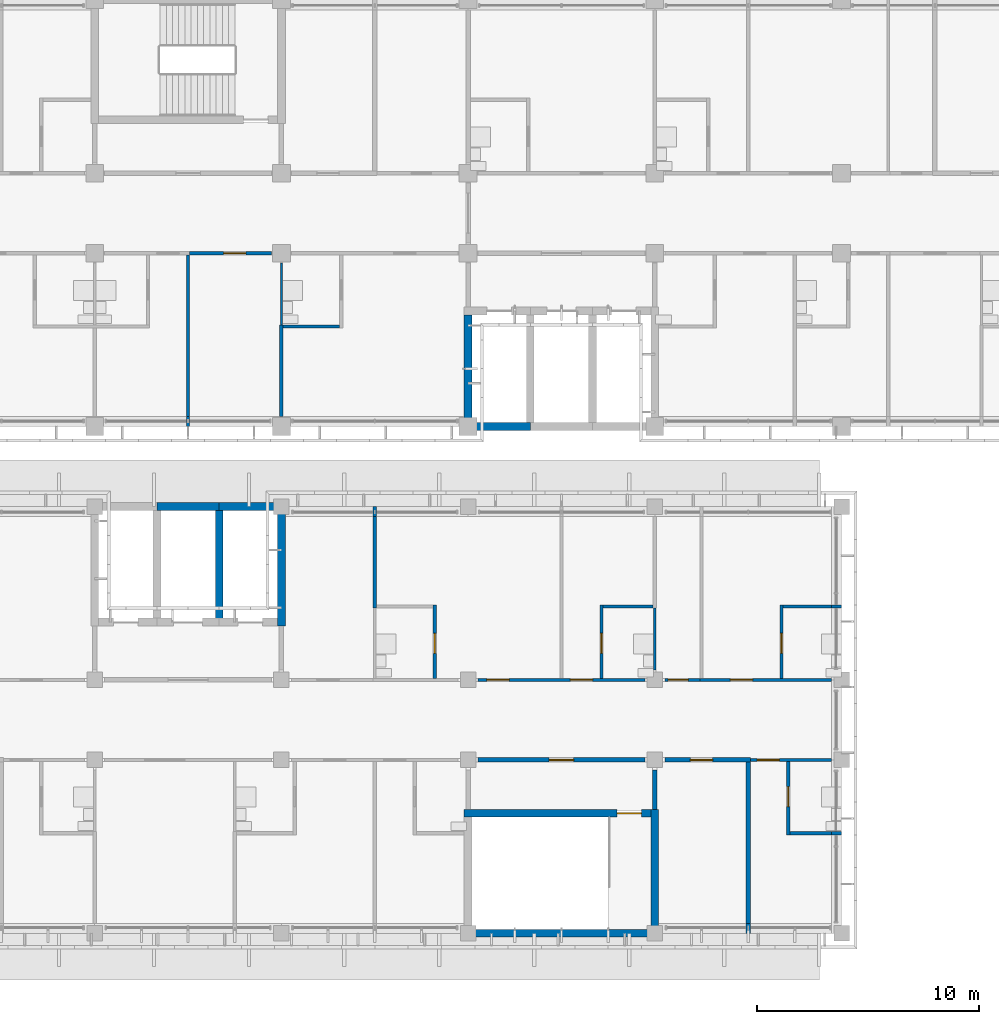
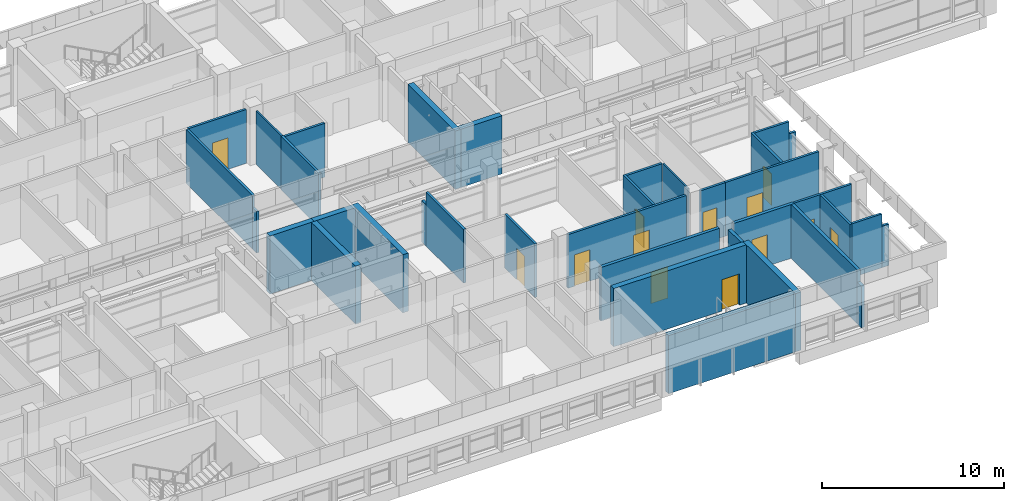
# One storey, part 36 of 71: 36 walls, 13 doors, 13 openings.
"""IFC4 building model written with IfcOpenShell, lengths in metres."""

from ifc_helpers import new_model, si_unit, direction, frame, frame_2d, origin, place, context, subcontext, project, spatial, rectangle, extrude, material, layer, layer_set, type_object, element, fill, save


model = new_model("IFC4")

# Units and contexts
model_context = context("Model", 3, precision=1e-05, world=origin(), true_north=direction((0.0, 1.0)))
body_context = subcontext(model_context, "Body", "Model", "MODEL_VIEW")
ifc_project = project(units=[si_unit("LENGTHUNIT", "METRE"), si_unit("AREAUNIT", "SQUARE_METRE"), si_unit("VOLUMEUNIT", "CUBIC_METRE"), si_unit("PLANEANGLEUNIT", "RADIAN"), si_unit("MASSUNIT", "GRAM", prefix="KILO")], contexts=[model_context])

# Site, building, storey
site_placement = place(None, origin())
site = spatial("IfcSite", under=ifc_project, at=site_placement, CompositionType="ELEMENT")
building_placement = place(site_placement, origin())
building = spatial("IfcBuilding", under=site, at=building_placement, Name="Bougainvillea Quay General Hospital", CompositionType="ELEMENT")
storey_placement = place(building_placement, frame((0.0, 0.0, 24.89990234375)))
storey = spatial("IfcBuildingStorey", under=building, at=storey_placement, Name="L05", CompositionType="ELEMENT", Elevation=24.89990234375)

# Walls
ifc_material_1 = material(Name="Gypsum board partition on steel studs", Category="steel")
ifc_layer_1 = layer(ifc_material_1, 0.10009765625)
ifc_layer_set_1 = layer_set([ifc_layer_1], Name="Gypsum board partition on steel studs")
wall_type_1 = type_object("IfcWallType", Name="Partition 100 Gypsum board partition", PredefinedType="PARTITIONING", material=ifc_layer_set_1)
wall_1_placement = place(storey_placement, frame((159.60009765625, 129.449951171875, 0.0), z_axis=(0.0, 0.0, 1.0), x_axis=(0.0, 1.0, 0.0)))
element("IfcWall", 1, at=wall_1_placement, inside=storey, type_object=wall_type_1, Name="Partition 100 mm", PredefinedType="PARTITIONING", context=body_context, shape_type="SweptSolid", body=[
    extrude(rectangle(XDim=2.775146484375, YDim=0.10009765625, at=frame_2d((1.3876953125, 0.0))), origin(), (0.0, 0.0, 1.0), 3.60009765625),
])
wall_2_placement = place(storey_placement, frame((142.800048828125, 144.97509765625, 0.0), z_axis=(0.0, 0.0, 1.0), x_axis=(0.0, 1.0, 0.0)))
element("IfcWall", 2, at=wall_2_placement, inside=storey, type_object=wall_type_1, Name="Partition 100 mm", PredefinedType="PARTITIONING", context=body_context, shape_type="SweptSolid", body=[
    extrude(rectangle(XDim=2.77490234375, YDim=0.10009765625, at=frame_2d((1.387451171875, 0.0))), origin(), (0.0, 0.0, 1.0), 3.60009765625),
])
ifc_material_2 = material(Name="Gypsum board partition on steel studs, insulated", Category="steel")
ifc_layer_2 = layer(ifc_material_2, 0.14990234375)
ifc_layer_set_2 = layer_set([ifc_layer_2], Name="Gypsum board partition on steel studs, insulated")
wall_type_2 = type_object("IfcWallType", Name="Partition 150 Gypsum board partition", PredefinedType="PARTITIONING", material=ifc_layer_set_2)
wall_3_placement = place(storey_placement, frame((138.60009765625, 140.39990234375, 0.0), z_axis=(0.0, 0.0, 1.0), x_axis=(0.0, 1.0, 0.0)))
element("IfcWall", 3, at=wall_3_placement, inside=storey, type_object=wall_type_2, Name="Partition 150 mm", PredefinedType="PARTITIONING", context=body_context, shape_type="SweptSolid", body=[
    extrude(rectangle(XDim=0.4501953125, YDim=0.14990234375, at=frame_2d((0.22509765625, 0.0))), origin(), (0.0, 0.0, 1.0), 2.780029296875),
])
wall_4_placement = place(storey_placement, frame((138.60009765625, 140.85009765625, 0.0), z_axis=(0.0, 0.0, 1.0), x_axis=(0.0, 1.0, 0.0)))
element("IfcWall", 4, at=wall_4_placement, inside=storey, type_object=wall_type_2, Name="Partition 150 mm", PredefinedType="PARTITIONING", context=body_context, shape_type="SweptSolid", body=[
    extrude(rectangle(XDim=7.27490234375, YDim=0.14990234375, at=frame_2d((3.637451171875, 0.0))), origin(), (0.0, 0.0, 1.0), 3.60009765625),
])
for number, where, z_axis, x_axis, name in (
    (5, (142.800048828125, 140.85009765625, 0.0), (0.0, 0.0, 1.0), (0.0, 1.0, 0.0), "Partition 150 mm"),
    (6, (147.0, 132.22509765625, 0.0), (0.0, 0.0, 1.0), (0.0, 1.0, 0.0), "Partition 150 mm"),
):
    element("IfcWall", number, at=place(storey_placement, frame(where, z_axis=z_axis, x_axis=x_axis)), inside=storey, type_object=wall_type_2, Name=name, PredefinedType="PARTITIONING", context=body_context, shape_type="SweptSolid", body=[
        extrude(rectangle(XDim=4.125, YDim=0.14990234375, at=frame_2d((2.0625, 0.0))), origin(), (0.0, 0.0, 1.0), 3.60009765625),
    ])
wall_5_placement = place(storey_placement, frame((147.0, 136.35009765625, 0.0), z_axis=(0.0, 0.0, 1.0), x_axis=(0.0, 1.0, 0.0)))
element("IfcWall", 7, at=wall_5_placement, inside=storey, type_object=wall_type_2, Name="Partition 150 mm", PredefinedType="PARTITIONING", context=body_context, shape_type="SweptSolid", body=[
    extrude(rectangle(XDim=0.449951171875, YDim=0.14990234375, at=frame_2d((0.22509765625, 0.0))), origin(), (0.0, 0.0, 1.0), 2.780029296875),
])

# Wall, opening, door
wall_6_placement = place(storey_placement, frame((149.699951171875, 129.074951171875, 0.0), z_axis=(0.0, 0.0, 1.0), x_axis=(0.0, 1.0, 0.0)))
wall_6 = element("IfcWall", 8, at=wall_6_placement, inside=storey, type_object=wall_type_2, Name="Partition 150 mm", PredefinedType="PARTITIONING", context=body_context, shape_type="SweptSolid", body=[
    extrude(rectangle(XDim=3.300048828125, YDim=0.14990234375, at=frame_2d((1.64990234375, 0.0))), origin(), (0.0, 0.0, 1.0), 3.60009765625),
])
opening_1_placement = place(wall_6_placement, frame((1.125, 0.0, 0.0)))
opening_1 = element("IfcOpeningElement", 9, at=opening_1_placement, cuts=wall_6, Name="Opening L05.134", PredefinedType="OPENING", context=body_context, shape_type="SweptSolid", body=[
    extrude(rectangle(XDim=0.89990234375, YDim=2.10009765625, at=frame_2d((0.449951171875, 1.050048828125))), frame((0.0, 0.0849609375, 0.0), z_axis=(0.0, -1.0, 0.0), x_axis=(1.0, 0.0, 0.0)), (0.0, 0.0, 1.0), 0.169921875),
])
ifc_material_3 = material(Name="Solid-core timber door leaf in steel frame", Category="steel")
door_type_1 = type_object("IfcDoorType", Name="Single leaf door 900x2100", OperationType="NOTDEFINED", PredefinedType="DOOR", material=ifc_material_3)
door_1_placement = place(opening_1_placement, origin())
door_1 = element("IfcDoor", 10, at=door_1_placement, inside=storey, type_object=door_type_1, Name="DT07 L05.134", OperationType="SINGLE_SWING_LEFT", OverallHeight=2.10009765625, OverallWidth=0.89990234375, PredefinedType="DOOR", context=body_context, shape_type="SweptSolid", body=[
    extrude(rectangle(XDim=0.89990234375, YDim=2.10009765625, at=frame_2d((0.449951171875, 1.050048828125))), frame((0.0, 0.02490234375, 0.0), z_axis=(0.0, -1.0, 0.0), x_axis=(1.0, 0.0, 0.0)), (0.0, 0.0, 1.0), 0.050048828125),
])
fill(opening_1, door_1)

wall_7_placement = place(storey_placement, frame((157.199951171875, 129.074951171875, 0.0), z_axis=(0.0, 0.0, 1.0), x_axis=(0.0, 1.0, 0.0)))
wall_7 = element("IfcWall", 11, at=wall_7_placement, inside=storey, type_object=wall_type_2, Name="Partition 150 mm", PredefinedType="PARTITIONING", context=body_context, shape_type="SweptSolid", body=[
    extrude(rectangle(XDim=3.300048828125, YDim=0.14990234375, at=frame_2d((1.64990234375, 0.0))), origin(), (0.0, 0.0, 1.0), 3.60009765625),
])
opening_2_placement = place(wall_7_placement, frame((1.125, 0.0, 0.0)))
opening_2 = element("IfcOpeningElement", 12, at=opening_2_placement, cuts=wall_7, Name="Opening L05.136", PredefinedType="OPENING", context=body_context, shape_type="SweptSolid", body=[
    extrude(rectangle(XDim=0.89990234375, YDim=2.10009765625, at=frame_2d((0.449951171875, 1.050048828125))), frame((0.0, 0.0849609375, 0.0), z_axis=(0.0, -1.0, 0.0), x_axis=(1.0, 0.0, 0.0)), (0.0, 0.0, 1.0), 0.169921875),
])
door_2_placement = place(opening_2_placement, frame((0.89990234375, 0.0, 0.0), z_axis=(0.0, 0.0, 1.0), x_axis=(-1.0, 0.0, 0.0)))
door_2 = element("IfcDoor", 13, at=door_2_placement, inside=storey, type_object=door_type_1, Name="DT07 L05.136", OperationType="SINGLE_SWING_RIGHT", OverallHeight=2.10009765625, OverallWidth=0.89990234375, PredefinedType="DOOR", context=body_context, shape_type="SweptSolid", body=[
    extrude(rectangle(XDim=0.89990234375, YDim=2.10009765625, at=frame_2d((0.449951171875, 1.050048828125))), frame((0.0, 0.02490234375, 0.0), z_axis=(0.0, -1.0, 0.0), x_axis=(1.0, 0.0, 0.0)), (0.0, 0.0, 1.0), 0.050048828125),
])
fill(opening_2, door_2)

wall_8_placement = place(storey_placement, frame((165.300048828125, 129.074951171875, 0.0), z_axis=(0.0, 0.0, 1.0), x_axis=(0.0, 1.0, 0.0)))
wall_8 = element("IfcWall", 14, at=wall_8_placement, inside=storey, type_object=wall_type_2, Name="Partition 150 mm", PredefinedType="PARTITIONING", context=body_context, shape_type="SweptSolid", body=[
    extrude(rectangle(XDim=3.300048828125, YDim=0.14990234375, at=frame_2d((1.64990234375, 0.0))), origin(), (0.0, 0.0, 1.0), 3.60009765625),
])
opening_3_placement = place(wall_8_placement, frame((1.125, 0.0, 0.0)))
opening_3 = element("IfcOpeningElement", 15, at=opening_3_placement, cuts=wall_8, Name="Opening L05.139", PredefinedType="OPENING", context=body_context, shape_type="SweptSolid", body=[
    extrude(rectangle(XDim=0.89990234375, YDim=2.10009765625, at=frame_2d((0.449951171875, 1.050048828125))), frame((0.0, 0.0849609375, 0.0), z_axis=(0.0, -1.0, 0.0), x_axis=(1.0, 0.0, 0.0)), (0.0, 0.0, 1.0), 0.169921875),
])
door_3_placement = place(opening_3_placement, frame((0.89990234375, 0.0, 0.0), z_axis=(0.0, 0.0, 1.0), x_axis=(-1.0, 0.0, 0.0)))
door_3 = element("IfcDoor", 16, at=door_3_placement, inside=storey, type_object=door_type_1, Name="DT07 L05.139", OperationType="SINGLE_SWING_RIGHT", OverallHeight=2.10009765625, OverallWidth=0.89990234375, PredefinedType="DOOR", context=body_context, shape_type="SweptSolid", body=[
    extrude(rectangle(XDim=0.89990234375, YDim=2.10009765625, at=frame_2d((0.449951171875, 1.050048828125))), frame((0.0, 0.02490234375, 0.0), z_axis=(0.0, -1.0, 0.0), x_axis=(1.0, 0.0, 0.0)), (0.0, 0.0, 1.0), 0.050048828125),
])
fill(opening_3, door_3)

wall_9_placement = place(storey_placement, frame((165.60009765625, 122.02490234375, 0.0), z_axis=(0.0, 0.0, 1.0), x_axis=(0.0, 1.0, 0.0)))
wall_9 = element("IfcWall", 17, at=wall_9_placement, inside=storey, type_object=wall_type_2, Name="Partition 150 mm", PredefinedType="PARTITIONING", context=body_context, shape_type="SweptSolid", body=[
    extrude(rectangle(XDim=3.300048828125, YDim=0.14990234375, at=frame_2d((1.64990234375, 0.0))), origin(), (0.0, 0.0, 1.0), 3.60009765625),
])
opening_4_placement = place(wall_9_placement, frame((1.27490234375, 0.0, 0.0)))
opening_4 = element("IfcOpeningElement", 18, at=opening_4_placement, cuts=wall_9, Name="Opening L05.141", PredefinedType="OPENING", context=body_context, shape_type="SweptSolid", body=[
    extrude(rectangle(XDim=0.89990234375, YDim=2.10009765625, at=frame_2d((0.449951171875, 1.050048828125))), frame((0.0, 0.0849609375, 0.0), z_axis=(0.0, -1.0, 0.0), x_axis=(1.0, 0.0, 0.0)), (0.0, 0.0, 1.0), 0.169921875),
])
door_4_placement = place(opening_4_placement, frame((0.89990234375, 0.0, 0.0), z_axis=(0.0, 0.0, 1.0), x_axis=(-1.0, 0.0, 0.0)))
door_4 = element("IfcDoor", 19, at=door_4_placement, inside=storey, type_object=door_type_1, Name="DT07 L05.141", OperationType="SINGLE_SWING_LEFT", OverallHeight=2.10009765625, OverallWidth=0.89990234375, PredefinedType="DOOR", context=body_context, shape_type="SweptSolid", body=[
    extrude(rectangle(XDim=0.89990234375, YDim=2.10009765625, at=frame_2d((0.449951171875, 1.050048828125))), frame((0.0, 0.02490234375, 0.0), z_axis=(0.0, -1.0, 0.0), x_axis=(1.0, 0.0, 0.0)), (0.0, 0.0, 1.0), 0.050048828125),
])
fill(opening_4, door_4)

# Walls
wall_10_placement = place(storey_placement, frame((142.875, 144.89990234375, 0.0), z_axis=(0.0, 0.0, 1.0), x_axis=(1.0, 0.0, 0.0)))
element("IfcWall", 20, at=wall_10_placement, inside=storey, type_object=wall_type_2, Name="Partition 150 mm", PredefinedType="PARTITIONING", context=body_context, shape_type="SweptSolid", body=[
    extrude(rectangle(XDim=2.550048828125, YDim=0.14990234375, at=frame_2d((1.27490234375, 0.0))), origin(), (0.0, 0.0, 1.0), 3.60009765625),
])
wall_11_placement = place(storey_placement, frame((165.375, 132.300048828125, 0.0), z_axis=(0.0, 0.0, 1.0), x_axis=(1.0, 0.0, 0.0)))
element("IfcWall", 21, at=wall_11_placement, inside=storey, type_object=wall_type_2, Name="Partition 150 mm", PredefinedType="PARTITIONING", context=body_context, shape_type="SweptSolid", body=[
    extrude(rectangle(XDim=2.175048828125, YDim=0.14990234375, at=frame_2d((1.08740234375, 0.0))), origin(), (0.0, 0.0, 1.0), 3.60009765625),
])
wall_12_placement = place(storey_placement, frame((167.550048828125, 132.300048828125, 0.0), z_axis=(0.0, 0.0, 1.0), x_axis=(1.0, 0.0, 0.0)))
element("IfcWall", 22, at=wall_12_placement, inside=storey, type_object=wall_type_2, Name="Partition 150 mm", PredefinedType="PARTITIONING", context=body_context, shape_type="SweptSolid", body=[
    extrude(rectangle(XDim=0.449951171875, YDim=0.14990234375, at=frame_2d((0.22509765625, 0.0))), origin(), (0.0, 0.0, 1.0), 2.780029296875),
])
wall_13_placement = place(storey_placement, frame((157.27490234375, 132.300048828125, 0.0), z_axis=(0.0, 0.0, 1.0), x_axis=(1.0, 0.0, 0.0)))
element("IfcWall", 23, at=wall_13_placement, inside=storey, type_object=wall_type_2, Name="Partition 150 mm", PredefinedType="PARTITIONING", context=body_context, shape_type="SweptSolid", body=[
    extrude(rectangle(XDim=2.25, YDim=0.14990234375, at=frame_2d((1.125, 0.0))), origin(), (0.0, 0.0, 1.0), 3.60009765625),
])
wall_14_placement = place(storey_placement, frame((165.675048828125, 122.10009765625, 0.0), z_axis=(0.0, 0.0, 1.0), x_axis=(1.0, 0.0, 0.0)))
element("IfcWall", 24, at=wall_14_placement, inside=storey, type_object=wall_type_2, Name="Partition 150 mm", PredefinedType="PARTITIONING", context=body_context, shape_type="SweptSolid", body=[
    extrude(rectangle(XDim=1.875, YDim=0.14990234375, at=frame_2d((0.9375, 0.0))), origin(), (0.0, 0.0, 1.0), 3.60009765625),
])
wall_15_placement = place(storey_placement, frame((167.550048828125, 122.10009765625, 0.0), z_axis=(0.0, 0.0, 1.0), x_axis=(1.0, 0.0, 0.0)))
element("IfcWall", 25, at=wall_15_placement, inside=storey, type_object=wall_type_2, Name="Partition 150 mm", PredefinedType="PARTITIONING", context=body_context, shape_type="SweptSolid", body=[
    extrude(rectangle(XDim=0.449951171875, YDim=0.14990234375, at=frame_2d((0.22509765625, 0.0))), origin(), (0.0, 0.0, 1.0), 2.780029296875),
])

# Wall, openings, doors
ifc_layer_3 = layer(ifc_material_2, 0.14990234375)
ifc_layer_set_3 = layer_set([ifc_layer_3], Name="Gypsum board partition on steel studs, insulated")
wall_type_3 = type_object("IfcWallType", Name="Partition 150 Gypsum board partition EI 30", PredefinedType="PARTITIONING", material=ifc_layer_set_3)
wall_16_placement = place(storey_placement, frame((159.14990234375, 129.0, 0.0), z_axis=(0.0, 0.0, 1.0), x_axis=(-1.0, 0.0, 0.0)))
wall_16 = element("IfcWall", 26, at=wall_16_placement, inside=storey, type_object=wall_type_3, Name="Partition 150 mm EI 30", PredefinedType="PARTITIONING", context=body_context, shape_type="SweptSolid", body=[
    extrude(rectangle(XDim=7.5, YDim=0.14990234375, at=frame_2d((3.75, 0.0))), origin(), (0.0, 0.0, 1.0), 3.60009765625),
])
opening_5_placement = place(wall_16_placement, frame((6.10009765625, 0.0, 0.0)))
opening_5 = element("IfcOpeningElement", 27, at=opening_5_placement, cuts=wall_16, Name="Opening L05.133", PredefinedType="OPENING", context=body_context, shape_type="SweptSolid", body=[
    extrude(rectangle(XDim=1.0, YDim=2.10009765625, at=frame_2d((0.5, 1.050048828125))), frame((0.0, 0.0849609375, 0.0), z_axis=(0.0, -1.0, 0.0), x_axis=(1.0, 0.0, 0.0)), (0.0, 0.0, 1.0), 0.169921875),
])
opening_6_placement = place(wall_16_placement, frame((2.35009765625, 0.0, 0.0)))
opening_6 = element("IfcOpeningElement", 28, at=opening_6_placement, cuts=wall_16, Name="Opening L05.135", PredefinedType="OPENING", context=body_context, shape_type="SweptSolid", body=[
    extrude(rectangle(XDim=1.0, YDim=2.10009765625, at=frame_2d((0.5, 1.050048828125))), frame((0.0, 0.0849609375, 0.0), z_axis=(0.0, -1.0, 0.0), x_axis=(1.0, 0.0, 0.0)), (0.0, 0.0, 1.0), 0.169921875),
])
door_type_2 = type_object("IfcDoorType", Name="Single leaf door 1000x2100 FD30S", OperationType="NOTDEFINED", PredefinedType="DOOR", material=ifc_material_3)
door_5_placement = place(opening_5_placement, frame((1.0, 0.0, 0.0), z_axis=(0.0, 0.0, 1.0), x_axis=(-1.0, 0.0, 0.0)))
door_5 = element("IfcDoor", 29, at=door_5_placement, inside=storey, type_object=door_type_2, Name="DT15 L05.133", OperationType="SINGLE_SWING_LEFT", OverallHeight=2.10009765625, OverallWidth=1.0, PredefinedType="DOOR", context=body_context, shape_type="SweptSolid", body=[
    extrude(rectangle(XDim=1.0, YDim=2.10009765625, at=frame_2d((0.5, 1.050048828125))), frame((0.0, 0.02490234375, 0.0), z_axis=(0.0, -1.0, 0.0), x_axis=(1.0, 0.0, 0.0)), (0.0, 0.0, 1.0), 0.050048828125),
])
fill(opening_5, door_5)
door_6_placement = place(opening_6_placement, frame((1.0, 0.0, 0.0), z_axis=(0.0, 0.0, 1.0), x_axis=(-1.0, 0.0, 0.0)))
door_6 = element("IfcDoor", 30, at=door_6_placement, inside=storey, type_object=door_type_2, Name="DT15 L05.135", OperationType="SINGLE_SWING_RIGHT", OverallHeight=2.10009765625, OverallWidth=1.0, PredefinedType="DOOR", context=body_context, shape_type="SweptSolid", body=[
    extrude(rectangle(XDim=1.0, YDim=2.10009765625, at=frame_2d((0.5, 1.050048828125))), frame((0.0, 0.02490234375, 0.0), z_axis=(0.0, -1.0, 0.0), x_axis=(1.0, 0.0, 0.0)), (0.0, 0.0, 1.0), 0.050048828125),
])
fill(opening_6, door_6)

# Wall, opening, door
wall_17_placement = place(storey_placement, frame((161.625, 129.0, 0.0), z_axis=(0.0, 0.0, 1.0), x_axis=(1.0, 0.0, 0.0)))
wall_17 = element("IfcWall", 31, at=wall_17_placement, inside=storey, type_object=wall_type_3, Name="Partition 150 mm EI 30", PredefinedType="PARTITIONING", context=body_context, shape_type="SweptSolid", body=[
    extrude(rectangle(XDim=5.925048828125, YDim=0.14990234375, at=frame_2d((2.96240234375, 0.0))), origin(), (0.0, 0.0, 1.0), 3.60009765625),
])
opening_7_placement = place(wall_17_placement, frame((1.375, 0.0, 0.0)))
opening_7 = element("IfcOpeningElement", 32, at=opening_7_placement, cuts=wall_17, Name="Opening L05.138", PredefinedType="OPENING", context=body_context, shape_type="SweptSolid", body=[
    extrude(rectangle(XDim=1.0, YDim=2.10009765625, at=frame_2d((0.5, 1.050048828125))), frame((0.0, 0.0849609375, 0.0), z_axis=(0.0, -1.0, 0.0), x_axis=(1.0, 0.0, 0.0)), (0.0, 0.0, 1.0), 0.169921875),
])
door_7_placement = place(opening_7_placement, origin())
door_7 = element("IfcDoor", 33, at=door_7_placement, inside=storey, type_object=door_type_2, Name="DT15 L05.138", OperationType="SINGLE_SWING_LEFT", OverallHeight=2.10009765625, OverallWidth=1.0, PredefinedType="DOOR", context=body_context, shape_type="SweptSolid", body=[
    extrude(rectangle(XDim=1.0, YDim=2.10009765625, at=frame_2d((0.5, 1.050048828125))), frame((0.0, 0.02490234375, 0.0), z_axis=(0.0, -1.0, 0.0), x_axis=(1.0, 0.0, 0.0)), (0.0, 0.0, 1.0), 0.050048828125),
])
fill(opening_7, door_7)

wall_18_placement = place(storey_placement, frame((163.89990234375, 125.39990234375, 0.0), z_axis=(0.0, 0.0, 1.0), x_axis=(1.0, 0.0, 0.0)))
wall_18 = element("IfcWall", 34, at=wall_18_placement, inside=storey, type_object=wall_type_3, Name="Partition 150 mm EI 30", PredefinedType="PARTITIONING", context=body_context, shape_type="SweptSolid", body=[
    extrude(rectangle(XDim=3.650146484375, YDim=0.14990234375, at=frame_2d((1.8251953125, 0.0))), origin(), (0.0, 0.0, 1.0), 3.60009765625),
])
opening_8_placement = place(wall_18_placement, frame((0.300048828125, 0.0, 0.0)))
opening_8 = element("IfcOpeningElement", 35, at=opening_8_placement, cuts=wall_18, Name="Opening L05.140", PredefinedType="OPENING", context=body_context, shape_type="SweptSolid", body=[
    extrude(rectangle(XDim=1.0, YDim=2.10009765625, at=frame_2d((0.5, 1.050048828125))), frame((0.0, 0.0849609375, 0.0), z_axis=(0.0, -1.0, 0.0), x_axis=(1.0, 0.0, 0.0)), (0.0, 0.0, 1.0), 0.169921875),
])
door_8_placement = place(opening_8_placement, frame((1.0, 0.0, 0.0), z_axis=(0.0, 0.0, 1.0), x_axis=(-1.0, 0.0, 0.0)))
door_8 = element("IfcDoor", 36, at=door_8_placement, inside=storey, type_object=door_type_2, Name="DT15 L05.140", OperationType="SINGLE_SWING_RIGHT", OverallHeight=2.10009765625, OverallWidth=1.0, PredefinedType="DOOR", context=body_context, shape_type="SweptSolid", body=[
    extrude(rectangle(XDim=1.0, YDim=2.10009765625, at=frame_2d((0.5, 1.050048828125))), frame((0.0, 0.02490234375, 0.0), z_axis=(0.0, -1.0, 0.0), x_axis=(1.0, 0.0, 0.0)), (0.0, 0.0, 1.0), 0.050048828125),
])
fill(opening_8, door_8)

ifc_layer_4 = layer(ifc_material_2, 0.14990234375)
ifc_layer_set_4 = layer_set([ifc_layer_4], Name="Gypsum board partition on steel studs, insulated")
wall_type_4 = type_object("IfcWallType", Name="Partition 150 Gypsum board partition EI 60", PredefinedType="PARTITIONING", material=ifc_layer_set_4)
wall_19_placement = place(storey_placement, frame((138.675048828125, 148.199951171875, 0.0), z_axis=(0.0, 0.0, 1.0), x_axis=(1.0, 0.0, 0.0)))
wall_19 = element("IfcWall", 37, at=wall_19_placement, inside=storey, type_object=wall_type_4, Name="Partition 150 mm EI 60", PredefinedType="PARTITIONING", context=body_context, shape_type="SweptSolid", body=[
    extrude(rectangle(XDim=3.675048828125, YDim=0.14990234375, at=frame_2d((1.83740234375, 0.0))), origin(), (0.0, 0.0, 1.0), 3.60009765625),
])
opening_9_placement = place(wall_19_placement, frame((1.52490234375, 0.0, 0.0)))
opening_9 = element("IfcOpeningElement", 38, at=opening_9_placement, cuts=wall_19, Name="Opening L05.040", PredefinedType="OPENING", context=body_context, shape_type="SweptSolid", body=[
    extrude(rectangle(XDim=1.0, YDim=2.10009765625, at=frame_2d((0.5, 1.050048828125))), frame((0.0, 0.0849609375, 0.0), z_axis=(0.0, -1.0, 0.0), x_axis=(1.0, 0.0, 0.0)), (0.0, 0.0, 1.0), 0.169921875),
])
door_type_3 = type_object("IfcDoorType", Name="Single leaf door 1000x2100 FD60", OperationType="NOTDEFINED", PredefinedType="DOOR", material=ifc_material_3)
door_9_placement = place(opening_9_placement, frame((1.0, 0.0, 0.0), z_axis=(0.0, 0.0, 1.0), x_axis=(-1.0, 0.0, 0.0)))
door_9 = element("IfcDoor", 39, at=door_9_placement, inside=storey, type_object=door_type_3, Name="DT14 L05.040", OperationType="SINGLE_SWING_LEFT", OverallHeight=2.10009765625, OverallWidth=1.0, PredefinedType="DOOR", context=body_context, shape_type="SweptSolid", body=[
    extrude(rectangle(XDim=1.0, YDim=2.10009765625, at=frame_2d((0.5, 1.050048828125))), frame((0.0, 0.02490234375, 0.0), z_axis=(0.0, -1.0, 0.0), x_axis=(1.0, 0.0, 0.0)), (0.0, 0.0, 1.0), 0.050048828125),
])
fill(opening_9, door_9)

wall_20_placement = place(storey_placement, frame((160.050048828125, 129.0, 0.0), z_axis=(0.0, 0.0, 1.0), x_axis=(1.0, 0.0, 0.0)))
wall_20 = element("IfcWall", 40, at=wall_20_placement, inside=storey, type_object=wall_type_4, Name="Partition 150 mm EI 60", PredefinedType="PARTITIONING", context=body_context, shape_type="SweptSolid", body=[
    extrude(rectangle(XDim=1.574951171875, YDim=0.14990234375, at=frame_2d((0.78759765625, 0.0))), origin(), (0.0, 0.0, 1.0), 3.60009765625),
])
opening_10_placement = place(wall_20_placement, frame((0.14990234375, 0.0, 0.0)))
opening_10 = element("IfcOpeningElement", 41, at=opening_10_placement, cuts=wall_20, Name="Opening L05.137", PredefinedType="OPENING", context=body_context, shape_type="SweptSolid", body=[
    extrude(rectangle(XDim=0.89990234375, YDim=2.10009765625, at=frame_2d((0.449951171875, 1.050048828125))), frame((0.0, 0.0849609375, 0.0), z_axis=(0.0, -1.0, 0.0), x_axis=(1.0, 0.0, 0.0)), (0.0, 0.0, 1.0), 0.169921875),
])
door_type_4 = type_object("IfcDoorType", Name="Single leaf door 900x2100 FD60", OperationType="NOTDEFINED", PredefinedType="DOOR", material=ifc_material_3)
door_10_placement = place(opening_10_placement, origin())
door_10 = element("IfcDoor", 42, at=door_10_placement, inside=storey, type_object=door_type_4, Name="DT18 L05.137", OperationType="SINGLE_SWING_LEFT", OverallHeight=2.10009765625, OverallWidth=0.89990234375, PredefinedType="DOOR", context=body_context, shape_type="SweptSolid", body=[
    extrude(rectangle(XDim=0.89990234375, YDim=2.10009765625, at=frame_2d((0.449951171875, 1.050048828125))), frame((0.0, 0.02490234375, 0.0), z_axis=(0.0, -1.0, 0.0), x_axis=(1.0, 0.0, 0.0)), (0.0, 0.0, 1.0), 0.050048828125),
])
fill(opening_10, door_10)

ifc_material_4 = material(Name="Fire-rated autoclaved aerated block wall, plastered")
ifc_layer_5 = layer(ifc_material_4, 0.199951171875)
ifc_layer_set_5 = layer_set([ifc_layer_5], Name="Fire-rated autoclaved aerated block wall, plastered")
wall_type_5 = type_object("IfcWallType", Name="Partition 200 Fire-rated autoclaved aerated block wall EI 120", PredefinedType="SOLIDWALL", material=ifc_layer_set_5)
wall_21_placement = place(storey_placement, frame((151.64990234375, 125.39990234375, 0.0), z_axis=(0.0, 0.0, 1.0), x_axis=(1.0, 0.0, 0.0)))
wall_21 = element("IfcWall", 43, at=wall_21_placement, inside=storey, type_object=wall_type_5, Name="Partition 200 mm EI 120", PredefinedType="SOLIDWALL", context=body_context, shape_type="SweptSolid", body=[
    extrude(rectangle(XDim=7.5, YDim=0.199951171875, at=frame_2d((3.75, 0.0))), origin(), (0.0, 0.0, 1.0), 3.60009765625),
])
opening_11_placement = place(wall_21_placement, frame((3.199951171875, 0.0, 0.0)))
opening_11 = element("IfcOpeningElement", 44, at=opening_11_placement, cuts=wall_21, Name="Opening L05.164", PredefinedType="OPENING", context=body_context, shape_type="SweptSolid", body=[
    extrude(rectangle(XDim=1.10009765625, YDim=2.10009765625, at=frame_2d((0.550048828125, 1.050048828125))), frame((0.0, 0.10986328125, 0.0), z_axis=(0.0, -1.0, 0.0), x_axis=(1.0, 0.0, 0.0)), (0.0, 0.0, 1.0), 0.219970703125),
])
ifc_material_5 = material(Name="Steel fire door leaf in steel frame", Category="steel")
door_type_5 = type_object("IfcDoorType", Name="Steel single leaf door 1100x2100 FD60", OperationType="NOTDEFINED", PredefinedType="DOOR", material=ifc_material_5)
door_11_placement = place(opening_11_placement, frame((1.10009765625, 0.0, 0.0), z_axis=(0.0, 0.0, 1.0), x_axis=(-1.0, 0.0, 0.0)))
door_11 = element("IfcDoor", 45, at=door_11_placement, inside=storey, type_object=door_type_5, Name="DT04 L05.164", OperationType="SINGLE_SWING_LEFT", OverallHeight=2.10009765625, OverallWidth=1.10009765625, PredefinedType="DOOR", context=body_context, shape_type="SweptSolid", body=[
    extrude(rectangle(XDim=1.10009765625, YDim=2.10009765625, at=frame_2d((0.550048828125, 1.050048828125))), frame((0.0, 0.02490234375, 0.0), z_axis=(0.0, -1.0, 0.0), x_axis=(1.0, 0.0, 0.0)), (0.0, 0.0, 1.0), 0.050048828125),
])
fill(opening_11, door_11)

wall_22_placement = place(storey_placement, frame((160.050048828125, 125.39990234375, 0.0), z_axis=(0.0, 0.0, 1.0), x_axis=(1.0, 0.0, 0.0)))
wall_22 = element("IfcWall", 46, at=wall_22_placement, inside=storey, type_object=wall_type_5, Name="Partition 200 mm EI 120", PredefinedType="SOLIDWALL", context=body_context, shape_type="SweptSolid", body=[
    extrude(rectangle(XDim=3.849853515625, YDim=0.199951171875, at=frame_2d((1.9248046875, 0.0))), origin(), (0.0, 0.0, 1.0), 3.60009765625),
])
opening_12_placement = place(wall_22_placement, frame((1.14990234375, 0.0, 0.0)))
opening_12 = element("IfcOpeningElement", 47, at=opening_12_placement, cuts=wall_22, Name="Opening L05.146", PredefinedType="OPENING", context=body_context, shape_type="SweptSolid", body=[
    extrude(rectangle(XDim=1.0, YDim=2.10009765625, at=frame_2d((0.5, 1.050048828125))), frame((0.0, 0.10986328125, 0.0), z_axis=(0.0, -1.0, 0.0), x_axis=(1.0, 0.0, 0.0)), (0.0, 0.0, 1.0), 0.219970703125),
])
door_type_6 = type_object("IfcDoorType", Name="Steel single leaf door 1000x2100 FD90", OperationType="NOTDEFINED", PredefinedType="DOOR", material=ifc_material_5)
door_12_placement = place(opening_12_placement, frame((1.0, 0.0, 0.0), z_axis=(0.0, 0.0, 1.0), x_axis=(-1.0, 0.0, 0.0)))
door_12 = element("IfcDoor", 48, at=door_12_placement, inside=storey, type_object=door_type_6, Name="DT11 L05.146", OperationType="SINGLE_SWING_RIGHT", OverallHeight=2.10009765625, OverallWidth=1.0, PredefinedType="DOOR", context=body_context, shape_type="SweptSolid", body=[
    extrude(rectangle(XDim=1.0, YDim=2.10009765625, at=frame_2d((0.5, 1.050048828125))), frame((0.0, 0.02490234375, 0.0), z_axis=(0.0, -1.0, 0.0), x_axis=(1.0, 0.0, 0.0)), (0.0, 0.0, 1.0), 0.050048828125),
])
fill(opening_12, door_12)

# Walls
wall_23_placement = place(storey_placement, frame((159.60009765625, 123.175048828125, 0.0), z_axis=(0.0, 0.0, 1.0), x_axis=(0.0, 1.0, 0.0)))
element("IfcWall", 49, at=wall_23_placement, inside=storey, type_object=wall_type_5, Name="Partition 200 mm EI 120", PredefinedType="SOLIDWALL", context=body_context, shape_type="SweptSolid", body=[
    extrude(rectangle(XDim=1.77490234375, YDim=0.199951171875, at=frame_2d((0.887451171875, 0.0))), origin(), (0.0, 0.0, 1.0), 3.60009765625),
])
wall_24_placement = place(storey_placement, frame((163.800048828125, 117.60009765625, 0.0), z_axis=(0.0, 0.0, 1.0), x_axis=(0.0, 1.0, 0.0)))
element("IfcWall", 50, at=wall_24_placement, inside=storey, type_object=wall_type_5, Name="Partition 200 mm EI 120", PredefinedType="SOLIDWALL", context=body_context, shape_type="SweptSolid", body=[
    extrude(rectangle(XDim=0.449951171875, YDim=0.199951171875, at=frame_2d((0.22509765625, 0.0))), origin(), (0.0, 0.0, 1.0), 2.780029296875),
])
wall_25_placement = place(storey_placement, frame((163.800048828125, 118.050048828125, 0.0), z_axis=(0.0, 0.0, 1.0), x_axis=(0.0, 1.0, 0.0)))
element("IfcWall", 51, at=wall_25_placement, inside=storey, type_object=wall_type_5, Name="Partition 200 mm EI 120", PredefinedType="SOLIDWALL", context=body_context, shape_type="SweptSolid", body=[
    extrude(rectangle(XDim=7.25, YDim=0.199951171875, at=frame_2d((3.625, 0.0))), origin(), (0.0, 0.0, 1.0), 3.60009765625),
])
ifc_material_6 = material(Name="Concrete C40", Category="concrete")
ifc_layer_6 = layer(ifc_material_6, 0.35009765625)
ifc_layer_set_6 = layer_set([ifc_layer_6], Name="Concrete C40")
wall_type_6 = type_object("IfcWallType", Name="RC SHEAR WALL 350 C40", PredefinedType="SHEAR", material=ifc_layer_set_6)
wall_26_placement = place(storey_placement, frame((137.199951171875, 136.800048828125, 0.0), z_axis=(0.0, 0.0, 1.0), x_axis=(1.0, 0.0, 0.0)))
element("IfcWall", 52, at=wall_26_placement, inside=storey, type_object=wall_type_6, Name="Shear wall L05", PredefinedType="SHEAR", context=body_context, shape_type="SweptSolid", body=[
    extrude(rectangle(XDim=2.800048828125, YDim=0.35009765625, at=frame_2d((1.39990234375, 0.0))), origin(), (0.0, 0.0, 1.0), 3.900146484375),
])
wall_27_placement = place(storey_placement, frame((140.0, 131.77490234375, 0.0), z_axis=(0.0, 0.0, 1.0), x_axis=(0.0, 1.0, 0.0)))
element("IfcWall", 53, at=wall_27_placement, inside=storey, type_object=wall_type_6, Name="Shear wall L05", PredefinedType="SHEAR", context=body_context, shape_type="SweptSolid", body=[
    extrude(rectangle(XDim=4.85009765625, YDim=0.35009765625, at=frame_2d((2.425048828125, 0.0))), origin(), (0.0, 0.0, 1.0), 3.900146484375),
])
wall_28_placement = place(storey_placement, frame((140.0, 136.800048828125, 0.0), z_axis=(0.0, 0.0, 1.0), x_axis=(1.0, 0.0, 0.0)))
element("IfcWall", 54, at=wall_28_placement, inside=storey, type_object=wall_type_6, Name="Shear wall L05", PredefinedType="SHEAR", context=body_context, shape_type="SweptSolid", body=[
    extrude(rectangle(XDim=2.625, YDim=0.35009765625, at=frame_2d((1.3125, 0.0))), origin(), (0.0, 0.0, 1.0), 3.900146484375),
])
wall_29_placement = place(storey_placement, frame((142.800048828125, 131.425048828125, 0.0), z_axis=(0.0, 0.0, 1.0), x_axis=(0.0, 1.0, 0.0)))
element("IfcWall", 55, at=wall_29_placement, inside=storey, type_object=wall_type_6, Name="Shear wall L05", PredefinedType="SHEAR", context=body_context, shape_type="SweptSolid", body=[
    extrude(rectangle(XDim=5.550048828125, YDim=0.35009765625, at=frame_2d((2.77490234375, 0.0))), origin(), (0.0, 0.0, 1.0), 3.900146484375),
])

# Wall, opening, door
wall_30_placement = place(storey_placement, frame((151.02490234375, 123.0, 0.0), z_axis=(0.0, 0.0, 1.0), x_axis=(1.0, 0.0, 0.0)))
wall_30 = element("IfcWall", 56, at=wall_30_placement, inside=storey, type_object=wall_type_6, Name="Shear wall L05", PredefinedType="SHEAR", context=body_context, shape_type="SweptSolid", body=[
    extrude(rectangle(XDim=8.400146484375, YDim=0.35009765625, at=frame_2d((4.2001953125, 0.0))), origin(), (0.0, 0.0, 1.0), 3.900146484375),
])
opening_13_placement = place(wall_30_placement, frame((6.875, 0.0, 0.0)))
opening_13 = element("IfcOpeningElement", 57, at=opening_13_placement, cuts=wall_30, Name="Opening L05.163", PredefinedType="OPENING", context=body_context, shape_type="SweptSolid", body=[
    extrude(rectangle(XDim=1.10009765625, YDim=2.10009765625, at=frame_2d((0.550048828125, 1.050048828125))), frame((0.0, 0.18505859375, 0.0), z_axis=(0.0, -1.0, 0.0), x_axis=(1.0, 0.0, 0.0)), (0.0, 0.0, 1.0), 0.3701171875),
])
door_13_placement = place(opening_13_placement, frame((1.10009765625, 0.0, 0.0), z_axis=(0.0, 0.0, 1.0), x_axis=(-1.0, 0.0, 0.0)))
door_13 = element("IfcDoor", 58, at=door_13_placement, inside=storey, type_object=door_type_5, Name="DT04 L05.163", OperationType="SINGLE_SWING_LEFT", OverallHeight=2.10009765625, OverallWidth=1.10009765625, PredefinedType="DOOR", context=body_context, shape_type="SweptSolid", body=[
    extrude(rectangle(XDim=1.10009765625, YDim=2.10009765625, at=frame_2d((0.550048828125, 1.050048828125))), frame((0.0, 0.02490234375, 0.0), z_axis=(0.0, -1.0, 0.0), x_axis=(1.0, 0.0, 0.0)), (0.0, 0.0, 1.0), 0.050048828125),
])
fill(opening_13, door_13)

# Walls
wall_31_placement = place(storey_placement, frame((151.199951171875, 140.22509765625, 0.0), z_axis=(0.0, 0.0, 1.0), x_axis=(0.0, 1.0, 0.0)))
element("IfcWall", 59, at=wall_31_placement, inside=storey, type_object=wall_type_6, Name="Shear wall L05", PredefinedType="SHEAR", context=body_context, shape_type="SweptSolid", body=[
    extrude(rectangle(XDim=5.199951171875, YDim=0.35009765625, at=frame_2d((2.60009765625, 0.0))), origin(), (0.0, 0.0, 1.0), 3.900146484375),
])
wall_32_placement = place(storey_placement, frame((151.375, 117.60009765625, 0.0), z_axis=(0.0, 0.0, 1.0), x_axis=(1.0, 0.0, 0.0)))
element("IfcWall", 60, at=wall_32_placement, inside=storey, type_object=wall_type_6, Name="Shear wall L05", PredefinedType="SHEAR", context=body_context, shape_type="SweptSolid", body=[
    extrude(rectangle(XDim=8.050048828125, YDim=0.35009765625, at=frame_2d((4.02490234375, 0.0))), origin(), (0.0, 0.0, 1.0), 3.900146484375),
])
wall_33_placement = place(storey_placement, frame((151.375, 140.39990234375, 0.0), z_axis=(0.0, 0.0, 1.0), x_axis=(1.0, 0.0, 0.0)))
element("IfcWall", 61, at=wall_33_placement, inside=storey, type_object=wall_type_6, Name="Shear wall L05", PredefinedType="SHEAR", context=body_context, shape_type="SweptSolid", body=[
    extrude(rectangle(XDim=2.625, YDim=0.35009765625, at=frame_2d((1.3125, 0.0))), origin(), (0.0, 0.0, 1.0), 3.900146484375),
])
wall_34_placement = place(storey_placement, frame((159.60009765625, 117.425048828125, 0.0), z_axis=(0.0, 0.0, 1.0), x_axis=(0.0, 1.0, 0.0)))
element("IfcWall", 62, at=wall_34_placement, inside=storey, type_object=wall_type_6, Name="Shear wall L05", PredefinedType="SHEAR", context=body_context, shape_type="SweptSolid", body=[
    extrude(rectangle(XDim=5.75, YDim=0.35009765625, at=frame_2d((2.875, 0.0))), origin(), (0.0, 0.0, 1.0), 3.900146484375),
])

save(model, "model.ifc")
